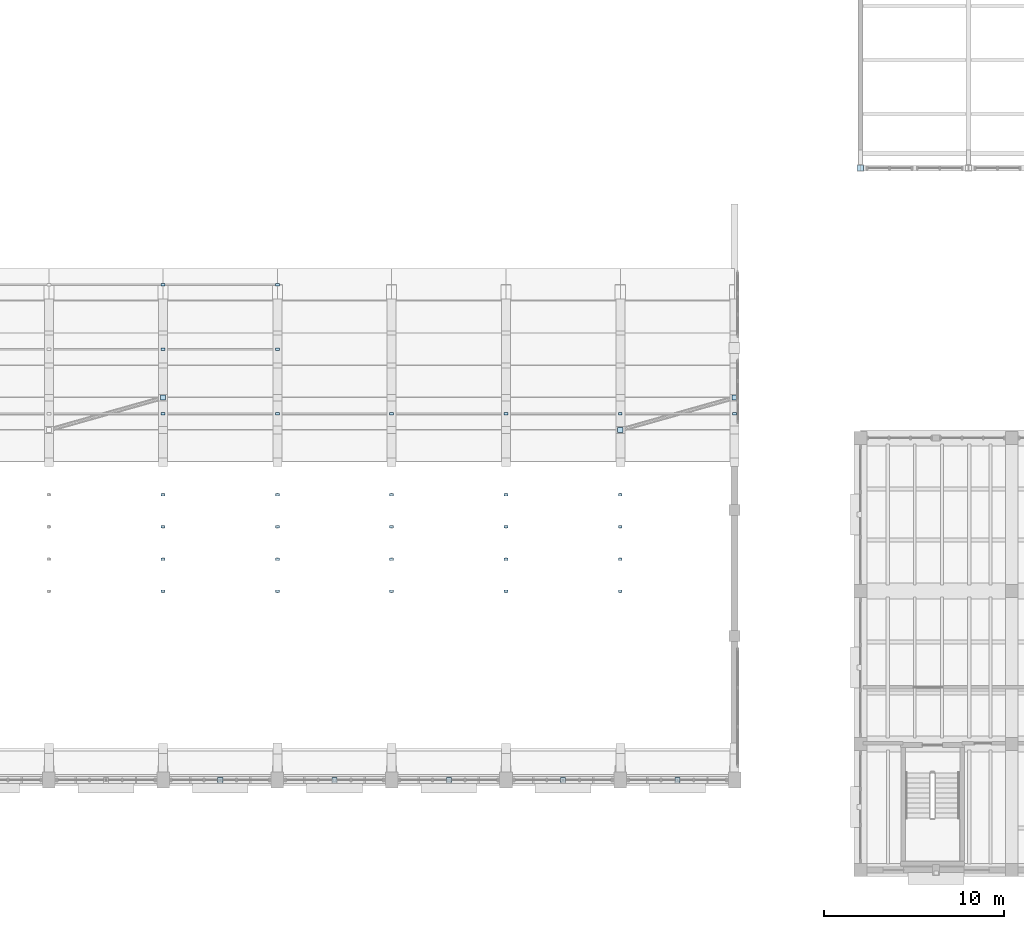
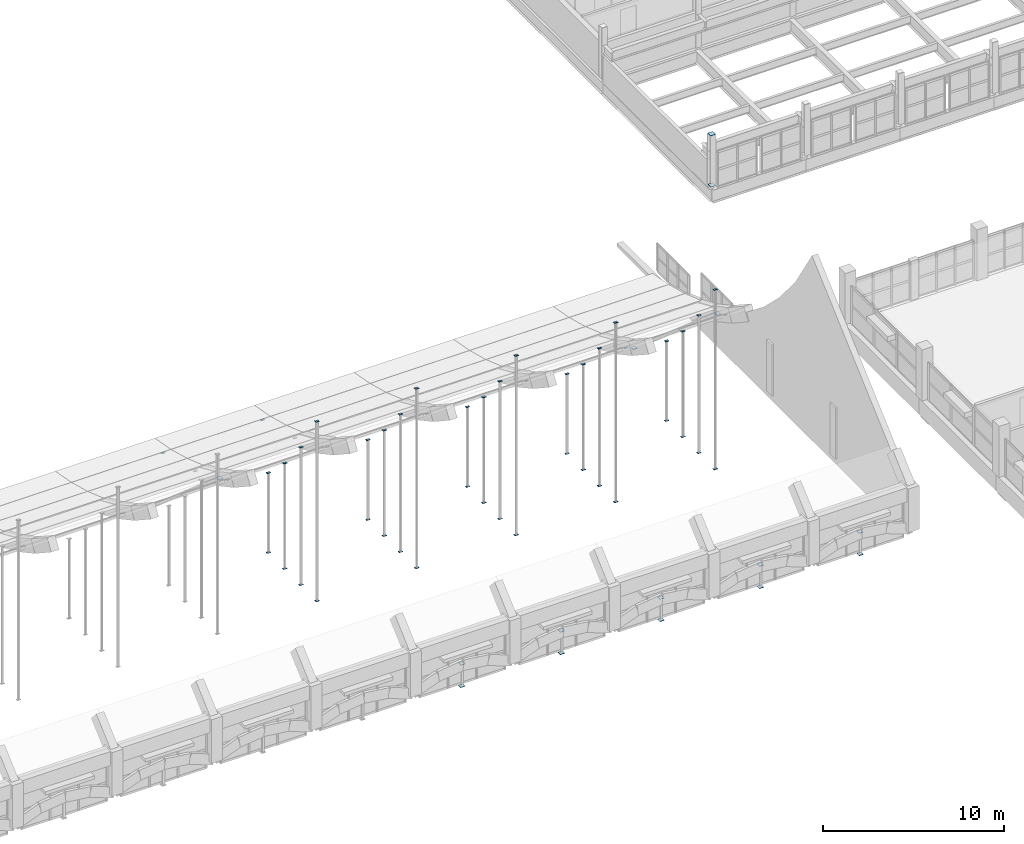
# One storey, part 58 of 77: 65 plates.
"""IFC4 building model written with IfcOpenShell, lengths in metres."""

from ifc_helpers import new_model, si_unit, direction, frame, origin, origin_2d, place, context, subcontext, project, spatial, rectangle, extrude, material, layer, layer_set, type_object, element, save


model = new_model("IFC4")

# Units and contexts
model_context = context("Model", 3, precision=1e-05, world=origin(), true_north=direction((0.0, 1.0)))
body_context = subcontext(model_context, "Body", "Model", "MODEL_VIEW")
ifc_project = project(units=[si_unit("LENGTHUNIT", "METRE"), si_unit("AREAUNIT", "SQUARE_METRE"), si_unit("VOLUMEUNIT", "CUBIC_METRE"), si_unit("PLANEANGLEUNIT", "RADIAN"), si_unit("MASSUNIT", "GRAM", prefix="KILO")], contexts=[model_context])

# Site, building, storey
site_placement = place(None, origin())
site = spatial("IfcSite", under=ifc_project, at=site_placement, CompositionType="ELEMENT")
building_placement = place(site_placement, origin())
building = spatial("IfcBuilding", under=site, at=building_placement, Name="Trellovar Central Fire Station", CompositionType="ELEMENT")
storey_placement = place(building_placement, frame((0.0, 0.0, 5.85009765625)))
storey = spatial("IfcBuildingStorey", under=building, at=storey_placement, Name="L02", CompositionType="ELEMENT", Elevation=5.85009765625)

# Plates
ifc_material_1 = material(Name="Steel ASTM A36", Category="steel")
ifc_layer_1 = layer(ifc_material_1, 0.02392578125)
ifc_layer_set_1 = layer_set([ifc_layer_1], Name="Steel ASTM A36")
plate_type_1 = type_object("IfcPlateType", Name="PLT-EP1", PredefinedType="SHEET", material=ifc_layer_set_1)
for number, where, z_axis, x_axis, name in (
    (1, (105.5, 48.0, -0.011962890625), (0.0, 0.0, 1.0), (1.0, 0.0, 0.0), "HSS end-cap plate 304"),
    (2, (105.5, 48.0, 3.43798828125), (0.0, 0.0, 1.0), (1.0, 0.0, 0.0), "HSS end-cap plate 305"),
):
    element("IfcPlate", number, at=place(storey_placement, frame(where, z_axis=z_axis, x_axis=x_axis)), inside=storey, type_object=plate_type_1, Name=name, PredefinedType="SHEET", context=body_context, shape_type="SweptSolid", body=[
        extrude(rectangle(XDim=0.320068359375, YDim=0.320068359375, at=origin_2d()), origin(), (0.0, 0.0, 1.0), 0.02392578125),
    ])
ifc_material_2 = material(Name="Steel ASTM A36", Category="steel")
ifc_layer_2 = layer(ifc_material_2, 0.02001953125)
ifc_layer_set_2 = layer_set([ifc_layer_2], Name="Steel ASTM A36")
plate_type_2 = type_object("IfcPlateType", Name="PLT-EP2", PredefinedType="SHEET", material=ifc_layer_set_2)
for number, where, z_axis, x_axis, name in (
    (3, (69.925048828125, 14.0, -0.710205078125), (0.0, 0.0, 1.0), (1.0, 0.0, 0.0), "HSS end-cap plate 117"),
    (4, (69.925048828125, 14.0, 0.789794921875), (0.0, 0.0, 1.0), (1.0, 0.0, 0.0), "HSS end-cap plate 118"),
    (5, (76.27490234375, 14.0, -0.710205078125), (0.0, 0.0, 1.0), (1.0, 0.0, 0.0), "HSS end-cap plate 119"),
    (6, (76.27490234375, 14.0, 0.789794921875), (0.0, 0.0, 1.0), (1.0, 0.0, 0.0), "HSS end-cap plate 120"),
    (7, (82.625, 14.0, -0.710205078125), (0.0, 0.0, 1.0), (1.0, 0.0, 0.0), "HSS end-cap plate 121"),
    (8, (82.625, 14.0, 0.789794921875), (0.0, 0.0, 1.0), (1.0, 0.0, 0.0), "HSS end-cap plate 122"),
    (9, (88.97509765625, 14.0, -0.710205078125), (0.0, 0.0, 1.0), (1.0, 0.0, 0.0), "HSS end-cap plate 123"),
    (10, (88.97509765625, 14.0, 0.789794921875), (0.0, 0.0, 1.0), (1.0, 0.0, 0.0), "HSS end-cap plate 124"),
    (11, (95.324951171875, 14.0, -0.710205078125), (0.0, 0.0, 1.0), (1.0, 0.0, 0.0), "HSS end-cap plate 125"),
    (12, (95.324951171875, 14.0, 0.789794921875), (0.0, 0.0, 1.0), (1.0, 0.0, 0.0), "HSS end-cap plate 126"),
    (13, (66.75, 35.239990234375, 1.529296875), (0.0, 0.0, 1.0), (1.0, 0.0, 0.0), "HSS end-cap plate 261"),
    (14, (92.14990234375, 33.44677734375, 2.500244140625), (0.0, 0.0, 1.0), (1.0, 0.0, 0.0), "HSS end-cap plate 302"),
    (15, (98.5, 35.239990234375, 1.529296875), (0.0, 0.0, 1.0), (1.0, 0.0, 0.0), "HSS end-cap plate 303"),
):
    element("IfcPlate", number, at=place(storey_placement, frame(where, z_axis=z_axis, x_axis=x_axis)), inside=storey, type_object=plate_type_2, Name=name, PredefinedType="SHEET", context=body_context, shape_type="SweptSolid", body=[
        extrude(rectangle(XDim=0.280029296875, YDim=0.280029296875, at=origin_2d()), origin(), (0.0, 0.0, 1.0), 0.02001953125),
    ])
ifc_material_3 = material(Name="Steel ASTM A36", Category="steel")
ifc_layer_3 = layer(ifc_material_3, 0.01611328125)
ifc_layer_set_3 = layer_set([ifc_layer_3], Name="Steel ASTM A36")
plate_type_3 = type_object("IfcPlateType", Name="PLT-EP4", PredefinedType="SHEET", material=ifc_layer_set_3)
for number, where, z_axis, x_axis, name in (
    (16, (66.75, 24.47998046875, -0.208251953125), (0.0, 0.0, 1.0), (1.0, 0.0, 0.0), "HSS end-cap plate 159"),
    (17, (66.75, 24.47998046875, 11.891845703125), (0.0, 0.0, 1.0), (1.0, 0.0, 0.0), "HSS end-cap plate 160"),
    (18, (66.75, 26.273193359375, -0.208251953125), (0.0, 0.0, 1.0), (1.0, 0.0, 0.0), "HSS end-cap plate 161"),
    (19, (66.75, 26.273193359375, 9.062255859375), (0.0, 0.0, 1.0), (1.0, 0.0, 0.0), "HSS end-cap plate 162"),
    (20, (66.75, 28.066650390625, -0.208251953125), (0.0, 0.0, 1.0), (1.0, 0.0, 0.0), "HSS end-cap plate 163"),
    (21, (66.75, 28.066650390625, 6.899169921875), (0.0, 0.0, 1.0), (1.0, 0.0, 0.0), "HSS end-cap plate 164"),
    (22, (66.75, 29.860107421875, -0.208251953125), (0.0, 0.0, 1.0), (1.0, 0.0, 0.0), "HSS end-cap plate 165"),
    (23, (66.75, 29.860107421875, 5.159423828125), (0.0, 0.0, 1.0), (1.0, 0.0, 0.0), "HSS end-cap plate 166"),
    (24, (73.10009765625, 24.47998046875, -0.208251953125), (0.0, 0.0, 1.0), (1.0, 0.0, 0.0), "HSS end-cap plate 167"),
    (25, (73.10009765625, 24.47998046875, 11.891845703125), (0.0, 0.0, 1.0), (1.0, 0.0, 0.0), "HSS end-cap plate 168"),
    (26, (73.10009765625, 26.273193359375, -0.208251953125), (0.0, 0.0, 1.0), (1.0, 0.0, 0.0), "HSS end-cap plate 169"),
    (27, (73.10009765625, 26.273193359375, 9.062255859375), (0.0, 0.0, 1.0), (1.0, 0.0, 0.0), "HSS end-cap plate 170"),
    (28, (73.10009765625, 28.066650390625, -0.208251953125), (0.0, 0.0, 1.0), (1.0, 0.0, 0.0), "HSS end-cap plate 171"),
    (29, (73.10009765625, 28.066650390625, 6.899169921875), (0.0, 0.0, 1.0), (1.0, 0.0, 0.0), "HSS end-cap plate 172"),
    (30, (73.10009765625, 29.860107421875, -0.208251953125), (0.0, 0.0, 1.0), (1.0, 0.0, 0.0), "HSS end-cap plate 173"),
    (31, (73.10009765625, 29.860107421875, 5.159423828125), (0.0, 0.0, 1.0), (1.0, 0.0, 0.0), "HSS end-cap plate 174"),
    (32, (79.449951171875, 24.47998046875, -0.208251953125), (0.0, 0.0, 1.0), (1.0, 0.0, 0.0), "HSS end-cap plate 175"),
    (33, (79.449951171875, 24.47998046875, 11.891845703125), (0.0, 0.0, 1.0), (1.0, 0.0, 0.0), "HSS end-cap plate 176"),
    (34, (79.449951171875, 26.273193359375, -0.208251953125), (0.0, 0.0, 1.0), (1.0, 0.0, 0.0), "HSS end-cap plate 177"),
    (35, (79.449951171875, 26.273193359375, 9.062255859375), (0.0, 0.0, 1.0), (1.0, 0.0, 0.0), "HSS end-cap plate 178"),
    (36, (79.449951171875, 28.066650390625, -0.208251953125), (0.0, 0.0, 1.0), (1.0, 0.0, 0.0), "HSS end-cap plate 179"),
    (37, (79.449951171875, 28.066650390625, 6.899169921875), (0.0, 0.0, 1.0), (1.0, 0.0, 0.0), "HSS end-cap plate 180"),
    (38, (79.449951171875, 29.860107421875, -0.208251953125), (0.0, 0.0, 1.0), (1.0, 0.0, 0.0), "HSS end-cap plate 181"),
    (39, (79.449951171875, 29.860107421875, 5.159423828125), (0.0, 0.0, 1.0), (1.0, 0.0, 0.0), "HSS end-cap plate 182"),
    (40, (85.800048828125, 24.47998046875, -0.208251953125), (0.0, 0.0, 1.0), (1.0, 0.0, 0.0), "HSS end-cap plate 183"),
    (41, (85.800048828125, 24.47998046875, 11.891845703125), (0.0, 0.0, 1.0), (1.0, 0.0, 0.0), "HSS end-cap plate 184"),
    (42, (85.800048828125, 26.273193359375, -0.208251953125), (0.0, 0.0, 1.0), (1.0, 0.0, 0.0), "HSS end-cap plate 185"),
    (43, (85.800048828125, 26.273193359375, 9.062255859375), (0.0, 0.0, 1.0), (1.0, 0.0, 0.0), "HSS end-cap plate 186"),
    (44, (85.800048828125, 28.066650390625, -0.208251953125), (0.0, 0.0, 1.0), (1.0, 0.0, 0.0), "HSS end-cap plate 187"),
    (45, (85.800048828125, 28.066650390625, 6.899169921875), (0.0, 0.0, 1.0), (1.0, 0.0, 0.0), "HSS end-cap plate 188"),
    (46, (85.800048828125, 29.860107421875, -0.208251953125), (0.0, 0.0, 1.0), (1.0, 0.0, 0.0), "HSS end-cap plate 189"),
    (47, (85.800048828125, 29.860107421875, 5.159423828125), (0.0, 0.0, 1.0), (1.0, 0.0, 0.0), "HSS end-cap plate 190"),
    (48, (92.14990234375, 24.47998046875, -0.208251953125), (0.0, 0.0, 1.0), (1.0, 0.0, 0.0), "HSS end-cap plate 191"),
    (49, (92.14990234375, 24.47998046875, 11.891845703125), (0.0, 0.0, 1.0), (1.0, 0.0, 0.0), "HSS end-cap plate 192"),
    (50, (92.14990234375, 26.273193359375, -0.208251953125), (0.0, 0.0, 1.0), (1.0, 0.0, 0.0), "HSS end-cap plate 193"),
    (51, (92.14990234375, 26.273193359375, 9.062255859375), (0.0, 0.0, 1.0), (1.0, 0.0, 0.0), "HSS end-cap plate 194"),
    (52, (92.14990234375, 28.066650390625, -0.208251953125), (0.0, 0.0, 1.0), (1.0, 0.0, 0.0), "HSS end-cap plate 195"),
    (53, (92.14990234375, 28.066650390625, 6.899169921875), (0.0, 0.0, 1.0), (1.0, 0.0, 0.0), "HSS end-cap plate 196"),
    (54, (92.14990234375, 29.860107421875, -0.208251953125), (0.0, 0.0, 1.0), (1.0, 0.0, 0.0), "HSS end-cap plate 197"),
    (55, (92.14990234375, 29.860107421875, 5.159423828125), (0.0, 0.0, 1.0), (1.0, 0.0, 0.0), "HSS end-cap plate 198"),
    (56, (66.75, 34.343505859375, 1.976806640625), (0.0, 0.0, 1.0), (1.0, 0.0, 0.0), "HSS end-cap plate 259"),
    (57, (66.75, 37.929931640625, 0.388427734375), (0.0, 0.0, 1.0), (1.0, 0.0, 0.0), "HSS end-cap plate 262"),
    (58, (66.75, 41.5166015625, -0.567138671875), (0.0, 0.0, 1.0), (1.0, 0.0, 0.0), "HSS end-cap plate 263"),
    (59, (73.10009765625, 34.343505859375, 1.976806640625), (0.0, 0.0, 1.0), (1.0, 0.0, 0.0), "HSS end-cap plate 270"),
    (60, (73.10009765625, 37.929931640625, 0.388427734375), (0.0, 0.0, 1.0), (1.0, 0.0, 0.0), "HSS end-cap plate 271"),
    (61, (73.10009765625, 41.5166015625, -0.567138671875), (0.0, 0.0, 1.0), (1.0, 0.0, 0.0), "HSS end-cap plate 272"),
    (62, (79.449951171875, 34.343505859375, 1.976806640625), (0.0, 0.0, 1.0), (1.0, 0.0, 0.0), "HSS end-cap plate 279"),
    (63, (85.800048828125, 34.343505859375, 1.976806640625), (0.0, 0.0, 1.0), (1.0, 0.0, 0.0), "HSS end-cap plate 285"),
    (64, (92.14990234375, 34.343505859375, 1.976806640625), (0.0, 0.0, 1.0), (1.0, 0.0, 0.0), "HSS end-cap plate 291"),
    (65, (98.5, 34.343505859375, 1.976806640625), (0.0, 0.0, 1.0), (1.0, 0.0, 0.0), "HSS end-cap plate 301"),
):
    element("IfcPlate", number, at=place(storey_placement, frame(where, z_axis=z_axis, x_axis=x_axis)), inside=storey, type_object=plate_type_3, Name=name, PredefinedType="SHEET", context=body_context, shape_type="SweptSolid", body=[
        extrude(rectangle(XDim=0.219970703125, YDim=0.139892578125, at=origin_2d()), origin(), (0.0, 0.0, 1.0), 0.01611328125),
    ])

save(model, "model.ifc")
